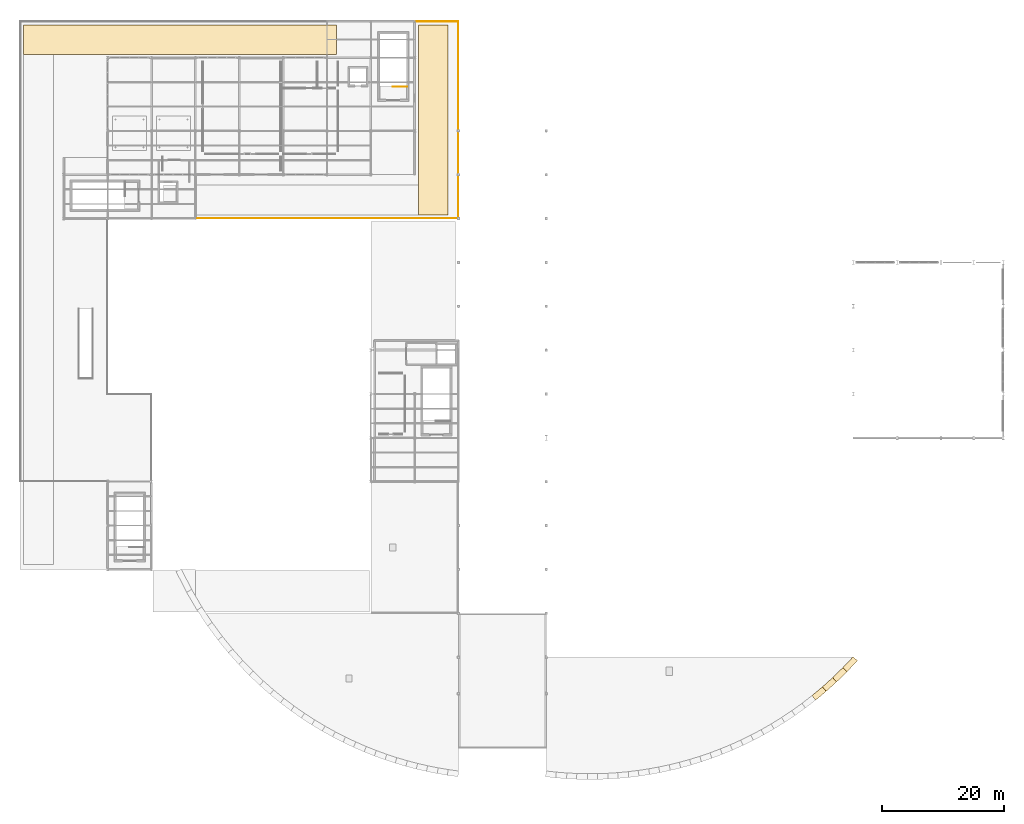
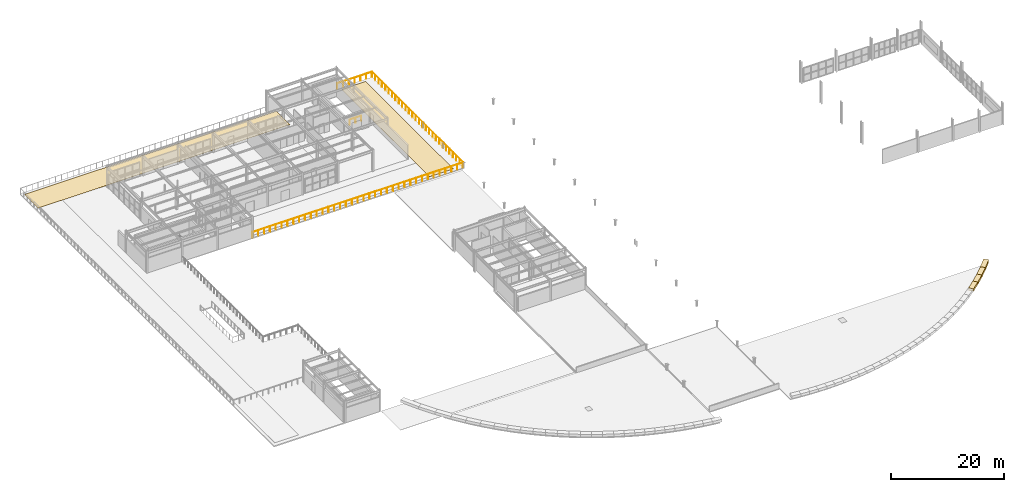
# One storey, part 41 of 41: 6 coverings, 2 railings.
"""IFC4 building model written with IfcOpenShell, lengths in metres."""

from ifc_helpers import new_model, si_unit, direction, frame, origin, origin_2d, place, context, subcontext, project, spatial, polyline, rectangle, circle, outline, extrude, material, layer, layer_set, type_object, element, save


model = new_model("IFC4")

# Units and contexts
model_context = context("Model", 3, precision=1e-05, world=origin(), true_north=direction((0.0, 1.0)))
body_context = subcontext(model_context, "Body", "Model", "MODEL_VIEW")
ifc_project = project(units=[si_unit("LENGTHUNIT", "METRE"), si_unit("AREAUNIT", "SQUARE_METRE"), si_unit("VOLUMEUNIT", "CUBIC_METRE"), si_unit("PLANEANGLEUNIT", "RADIAN"), si_unit("MASSUNIT", "GRAM", prefix="KILO")], contexts=[model_context])

# Site, building, storey
site_placement = place(None, origin())
site = spatial("IfcSite", under=ifc_project, at=site_placement, CompositionType="ELEMENT")
building_placement = place(site_placement, origin())
building = spatial("IfcBuilding", under=site, at=building_placement, Name="Solvadek Multi-Sports Hall", CompositionType="ELEMENT")
storey_placement = place(building_placement, frame((0.0, 0.0, 14.39990234375)))
storey = spatial("IfcBuildingStorey", under=building, at=storey_placement, Name="L03", CompositionType="ELEMENT", Elevation=14.39990234375)

# Coverings
ifc_material_1 = material(Name="Dressed honey-cream limestone ashlar", Category="masonry")
ifc_layer_1 = layer(ifc_material_1, 0.044921875, Name="Dressed honey-cream limestone ashlar")
ifc_layer_set_1 = layer_set([ifc_layer_1], Name="Dressed honey-cream limestone ashlar")
covering_type_1 = type_object("IfcCoveringType", Name="ENV-COV-CLAD45", PredefinedType="CLADDING", material=ifc_layer_set_1)
covering_1_placement = place(storey_placement, frame((131.189453125, 0.03173828125, 0.68994140625), z_axis=(0.0, 0.0, 1.0), x_axis=(0.767254598934, 0.641342638855, 0.0)))
element("IfcCovering", 1, at=covering_1_placement, inside=storey, type_object=covering_type_1, Name="Crescent Ottoman Crown Cornice E-27", PredefinedType="CLADDING", context=body_context, shape_type="SweptSolid", body=[
    extrude(rectangle(XDim=2.25, YDim=0.949951171875, at=origin_2d()), origin(), (0.0, 0.0, 1.0), 0.550048828125),
])
covering_2_placement = place(storey_placement, frame((132.881591796875, 1.503173828125, 0.68994140625), z_axis=(0.0, 0.0, 1.0), x_axis=(0.742150841647, 0.670232891048, 0.0)))
element("IfcCovering", 2, at=covering_2_placement, inside=storey, type_object=covering_type_1, Name="Crescent Ottoman Crown Cornice E-28", PredefinedType="CLADDING", context=body_context, shape_type="SweptSolid", body=[
    extrude(rectangle(XDim=2.323974609375, YDim=0.949951171875, at=origin_2d()), origin(), (0.0, 0.0, 1.0), 0.550048828125),
])
covering_3_placement = place(storey_placement, frame((134.57373046875, 3.094482421875, 0.68994140625), z_axis=(0.0, 0.0, 1.0), x_axis=(0.71499957752, 0.699124884514, 0.0)))
element("IfcCovering", 3, at=covering_3_placement, inside=storey, type_object=covering_type_1, Name="Crescent Ottoman Crown Cornice E-29", PredefinedType="CLADDING", context=body_context, shape_type="SweptSolid", body=[
    extrude(rectangle(XDim=2.409912109375, YDim=0.949951171875, at=origin_2d()), origin(), (0.0, 0.0, 1.0), 0.550048828125),
])
covering_4_placement = place(storey_placement, frame((136.265869140625, 4.820068359375, 0.68994140625), z_axis=(0.0, 0.0, 1.0), x_axis=(0.685588703424, 0.727989100013, 0.0)))
element("IfcCovering", 4, at=covering_4_placement, inside=storey, type_object=covering_type_1, Name="Crescent Ottoman Crown Cornice E-30", PredefinedType="CLADDING", context=body_context, shape_type="SweptSolid", body=[
    extrude(rectangle(XDim=2.510009765625, YDim=0.949951171875, at=origin_2d()), origin(), (0.0, 0.0, 1.0), 0.550048828125),
])

# Railing
ifc_material_2 = material(Name="Anodised aluminium", Category="aluminium")
railing_type_1 = type_object("IfcRailingType", Name="ENV-RAL-TRK120", PredefinedType="BALUSTRADE", material=ifc_material_2)
railing_1_placement = place(storey_placement, frame((64.860107421875, 110.340087890625, 0.0)))
element("IfcRailing", 5, at=railing_1_placement, inside=storey, type_object=railing_type_1, Name="Rooftop Running Track Perimeter Guard #2", PredefinedType="BALUSTRADE", context=body_context, shape_type="SweptSolid", body=[
    extrude(circle(Radius=0.02392578125, at=origin_2d()), frame((0.0, 0.0, 1.17578125), z_axis=(1.0, 0.0, 0.0), x_axis=(0.0, 1.0, 0.0)), (0.0, 0.0, 1.0), 7.079833984375),
    extrude(circle(Radius=0.02392578125, at=origin_2d()), frame((7.079833984375, 0.0, 1.17578125), z_axis=(0.0, -1.0, 0.0), x_axis=(1.0, 0.0, 0.0)), (0.0, 0.0, 1.0), 32.280029296875),
    extrude(circle(Radius=0.02392578125, at=origin_2d()), frame((7.079833984375, -32.280029296875, 1.17578125), z_axis=(-1.0, 0.0, 0.0), x_axis=(0.0, -1.0, 0.0)), (0.0, 0.0, 1.0), 43.079833984375),
    extrude(circle(Radius=0.02099609375, at=origin_2d()), origin(), (0.0, 0.0, 1.0), 1.15185546875),
    extrude(circle(Radius=0.02099609375, at=origin_2d()), frame((1.179931640625, 0.0, 0.0)), (0.0, 0.0, 1.0), 1.15185546875),
    extrude(circle(Radius=0.02099609375, at=origin_2d()), frame((2.35986328125, 0.0, 0.0)), (0.0, 0.0, 1.0), 1.15185546875),
    extrude(circle(Radius=0.02099609375, at=origin_2d()), frame((3.5400390625, 0.0, 0.0)), (0.0, 0.0, 1.0), 1.15185546875),
    extrude(circle(Radius=0.02099609375, at=origin_2d()), frame((4.719970703125, 0.0, 0.0)), (0.0, 0.0, 1.0), 1.15185546875),
    extrude(circle(Radius=0.02099609375, at=origin_2d()), frame((5.89990234375, 0.0, 0.0)), (0.0, 0.0, 1.0), 1.15185546875),
    extrude(circle(Radius=0.02099609375, at=origin_2d()), frame((7.079833984375, 0.0, 0.0)), (0.0, 0.0, 1.0), 1.15185546875),
    extrude(circle(Radius=0.02099609375, at=origin_2d()), frame((7.079833984375, -1.195556640625, 0.0)), (0.0, 0.0, 1.0), 1.15185546875),
    extrude(circle(Radius=0.02099609375, at=origin_2d()), frame((7.079833984375, -2.39111328125, 0.0)), (0.0, 0.0, 1.0), 1.15185546875),
    extrude(circle(Radius=0.02099609375, at=origin_2d()), frame((7.079833984375, -3.586669921875, 0.0)), (0.0, 0.0, 1.0), 1.15185546875),
    extrude(circle(Radius=0.02099609375, at=origin_2d()), frame((7.079833984375, -4.7822265625, 0.0)), (0.0, 0.0, 1.0), 1.15185546875),
    extrude(circle(Radius=0.02099609375, at=origin_2d()), frame((7.079833984375, -5.977783203125, 0.0)), (0.0, 0.0, 1.0), 1.15185546875),
    extrude(circle(Radius=0.02099609375, at=origin_2d()), frame((7.079833984375, -7.17333984375, 0.0)), (0.0, 0.0, 1.0), 1.15185546875),
    extrude(circle(Radius=0.02099609375, at=origin_2d()), frame((7.079833984375, -8.368896484375, 0.0)), (0.0, 0.0, 1.0), 1.15185546875),
    extrude(circle(Radius=0.02099609375, at=origin_2d()), frame((7.079833984375, -9.564453125, 0.0)), (0.0, 0.0, 1.0), 1.15185546875),
    extrude(circle(Radius=0.02099609375, at=origin_2d()), frame((7.079833984375, -10.760009765625, 0.0)), (0.0, 0.0, 1.0), 1.15185546875),
    extrude(circle(Radius=0.02099609375, at=origin_2d()), frame((7.079833984375, -11.95556640625, 0.0)), (0.0, 0.0, 1.0), 1.15185546875),
    extrude(circle(Radius=0.02099609375, at=origin_2d()), frame((7.079833984375, -13.151123046875, 0.0)), (0.0, 0.0, 1.0), 1.15185546875),
    extrude(circle(Radius=0.02099609375, at=origin_2d()), frame((7.079833984375, -14.3466796875, 0.0)), (0.0, 0.0, 1.0), 1.15185546875),
    extrude(circle(Radius=0.02099609375, at=origin_2d()), frame((7.079833984375, -15.542236328125, 0.0)), (0.0, 0.0, 1.0), 1.15185546875),
    extrude(circle(Radius=0.02099609375, at=origin_2d()), frame((7.079833984375, -16.73779296875, 0.0)), (0.0, 0.0, 1.0), 1.15185546875),
    extrude(circle(Radius=0.02099609375, at=origin_2d()), frame((7.079833984375, -17.933349609375, 0.0)), (0.0, 0.0, 1.0), 1.15185546875),
    extrude(circle(Radius=0.02099609375, at=origin_2d()), frame((7.079833984375, -19.12890625, 0.0)), (0.0, 0.0, 1.0), 1.15185546875),
    extrude(circle(Radius=0.02099609375, at=origin_2d()), frame((7.079833984375, -20.324462890625, 0.0)), (0.0, 0.0, 1.0), 1.15185546875),
    extrude(circle(Radius=0.02099609375, at=origin_2d()), frame((7.079833984375, -21.52001953125, 0.0)), (0.0, 0.0, 1.0), 1.15185546875),
    extrude(circle(Radius=0.02099609375, at=origin_2d()), frame((7.079833984375, -22.715576171875, 0.0)), (0.0, 0.0, 1.0), 1.15185546875),
    extrude(circle(Radius=0.02099609375, at=origin_2d()), frame((7.079833984375, -23.9111328125, 0.0)), (0.0, 0.0, 1.0), 1.15185546875),
    extrude(circle(Radius=0.02099609375, at=origin_2d()), frame((7.079833984375, -25.106689453125, 0.0)), (0.0, 0.0, 1.0), 1.15185546875),
    extrude(circle(Radius=0.02099609375, at=origin_2d()), frame((7.079833984375, -26.30224609375, 0.0)), (0.0, 0.0, 1.0), 1.15185546875),
    extrude(circle(Radius=0.02099609375, at=origin_2d()), frame((7.079833984375, -27.497802734375, 0.0)), (0.0, 0.0, 1.0), 1.15185546875),
    extrude(circle(Radius=0.02099609375, at=origin_2d()), frame((7.079833984375, -28.693359375, 0.0)), (0.0, 0.0, 1.0), 1.15185546875),
    extrude(circle(Radius=0.02099609375, at=origin_2d()), frame((7.079833984375, -29.888916015625, 0.0)), (0.0, 0.0, 1.0), 1.15185546875),
    extrude(circle(Radius=0.02099609375, at=origin_2d()), frame((7.079833984375, -31.08447265625, 0.0)), (0.0, 0.0, 1.0), 1.15185546875),
    extrude(circle(Radius=0.02099609375, at=origin_2d()), frame((7.079833984375, -32.280029296875, 0.0)), (0.0, 0.0, 1.0), 1.15185546875),
    extrude(circle(Radius=0.02099609375, at=origin_2d()), frame((5.883056640625, -32.280029296875, 0.0)), (0.0, 0.0, 1.0), 1.15185546875),
    extrude(circle(Radius=0.02099609375, at=origin_2d()), frame((4.6865234375, -32.280029296875, 0.0)), (0.0, 0.0, 1.0), 1.15185546875),
    extrude(circle(Radius=0.02099609375, at=origin_2d()), frame((3.48974609375, -32.280029296875, 0.0)), (0.0, 0.0, 1.0), 1.15185546875),
    extrude(circle(Radius=0.02099609375, at=origin_2d()), frame((2.293212890625, -32.280029296875, 0.0)), (0.0, 0.0, 1.0), 1.15185546875),
    extrude(circle(Radius=0.02099609375, at=origin_2d()), frame((1.096435546875, -32.280029296875, 0.0)), (0.0, 0.0, 1.0), 1.15185546875),
    extrude(circle(Radius=0.02099609375, at=origin_2d()), frame((-0.10009765625, -32.280029296875, 0.0)), (0.0, 0.0, 1.0), 1.15185546875),
    extrude(circle(Radius=0.02099609375, at=origin_2d()), frame((-1.296875, -32.280029296875, 0.0)), (0.0, 0.0, 1.0), 1.15185546875),
    extrude(circle(Radius=0.02099609375, at=origin_2d()), frame((-2.493408203125, -32.280029296875, 0.0)), (0.0, 0.0, 1.0), 1.15185546875),
    extrude(circle(Radius=0.02099609375, at=origin_2d()), frame((-3.690185546875, -32.280029296875, 0.0)), (0.0, 0.0, 1.0), 1.15185546875),
    extrude(circle(Radius=0.02099609375, at=origin_2d()), frame((-4.88671875, -32.280029296875, 0.0)), (0.0, 0.0, 1.0), 1.15185546875),
    extrude(circle(Radius=0.02099609375, at=origin_2d()), frame((-6.08349609375, -32.280029296875, 0.0)), (0.0, 0.0, 1.0), 1.15185546875),
    extrude(circle(Radius=0.02099609375, at=origin_2d()), frame((-7.280029296875, -32.280029296875, 0.0)), (0.0, 0.0, 1.0), 1.15185546875),
    extrude(circle(Radius=0.02099609375, at=origin_2d()), frame((-8.476806640625, -32.280029296875, 0.0)), (0.0, 0.0, 1.0), 1.15185546875),
    extrude(circle(Radius=0.02099609375, at=origin_2d()), frame((-9.67333984375, -32.280029296875, 0.0)), (0.0, 0.0, 1.0), 1.15185546875),
    extrude(circle(Radius=0.02099609375, at=origin_2d()), frame((-10.8701171875, -32.280029296875, 0.0)), (0.0, 0.0, 1.0), 1.15185546875),
    extrude(circle(Radius=0.02099609375, at=origin_2d()), frame((-12.066650390625, -32.280029296875, 0.0)), (0.0, 0.0, 1.0), 1.15185546875),
    extrude(circle(Radius=0.02099609375, at=origin_2d()), frame((-13.263427734375, -32.280029296875, 0.0)), (0.0, 0.0, 1.0), 1.15185546875),
    extrude(circle(Radius=0.02099609375, at=origin_2d()), frame((-14.4599609375, -32.280029296875, 0.0)), (0.0, 0.0, 1.0), 1.15185546875),
    extrude(circle(Radius=0.02099609375, at=origin_2d()), frame((-15.65673828125, -32.280029296875, 0.0)), (0.0, 0.0, 1.0), 1.15185546875),
    extrude(circle(Radius=0.02099609375, at=origin_2d()), frame((-16.853515625, -32.280029296875, 0.0)), (0.0, 0.0, 1.0), 1.15185546875),
    extrude(circle(Radius=0.02099609375, at=origin_2d()), frame((-18.050048828125, -32.280029296875, 0.0)), (0.0, 0.0, 1.0), 1.15185546875),
    extrude(circle(Radius=0.02099609375, at=origin_2d()), frame((-19.246826171875, -32.280029296875, 0.0)), (0.0, 0.0, 1.0), 1.15185546875),
    extrude(circle(Radius=0.02099609375, at=origin_2d()), frame((-20.443359375, -32.280029296875, 0.0)), (0.0, 0.0, 1.0), 1.15185546875),
    extrude(circle(Radius=0.02099609375, at=origin_2d()), frame((-21.64013671875, -32.280029296875, 0.0)), (0.0, 0.0, 1.0), 1.15185546875),
    extrude(circle(Radius=0.02099609375, at=origin_2d()), frame((-22.836669921875, -32.280029296875, 0.0)), (0.0, 0.0, 1.0), 1.15185546875),
    extrude(circle(Radius=0.02099609375, at=origin_2d()), frame((-24.033447265625, -32.280029296875, 0.0)), (0.0, 0.0, 1.0), 1.15185546875),
    extrude(circle(Radius=0.02099609375, at=origin_2d()), frame((-25.22998046875, -32.280029296875, 0.0)), (0.0, 0.0, 1.0), 1.15185546875),
    extrude(circle(Radius=0.02099609375, at=origin_2d()), frame((-26.4267578125, -32.280029296875, 0.0)), (0.0, 0.0, 1.0), 1.15185546875),
    extrude(circle(Radius=0.02099609375, at=origin_2d()), frame((-27.623291015625, -32.280029296875, 0.0)), (0.0, 0.0, 1.0), 1.15185546875),
    extrude(circle(Radius=0.02099609375, at=origin_2d()), frame((-28.820068359375, -32.280029296875, 0.0)), (0.0, 0.0, 1.0), 1.15185546875),
    extrude(circle(Radius=0.02099609375, at=origin_2d()), frame((-30.0166015625, -32.280029296875, 0.0)), (0.0, 0.0, 1.0), 1.15185546875),
    extrude(circle(Radius=0.02099609375, at=origin_2d()), frame((-31.21337890625, -32.280029296875, 0.0)), (0.0, 0.0, 1.0), 1.15185546875),
    extrude(circle(Radius=0.02099609375, at=origin_2d()), frame((-32.409912109375, -32.280029296875, 0.0)), (0.0, 0.0, 1.0), 1.15185546875),
    extrude(circle(Radius=0.02099609375, at=origin_2d()), frame((-33.606689453125, -32.280029296875, 0.0)), (0.0, 0.0, 1.0), 1.15185546875),
    extrude(circle(Radius=0.02099609375, at=origin_2d()), frame((-34.80322265625, -32.280029296875, 0.0)), (0.0, 0.0, 1.0), 1.15185546875),
    extrude(circle(Radius=0.02099609375, at=origin_2d()), frame((-36.0, -32.280029296875, 0.0)), (0.0, 0.0, 1.0), 1.15185546875),
])

# Coverings
ifc_material_3 = material(Name="Polyurethane EPDM track surfacing")
ifc_layer_2 = layer(ifc_material_3, 0.01806640625, Name="Polyurethane EPDM track surfacing")
ifc_layer_set_2 = layer_set([ifc_layer_2], Name="Polyurethane EPDM track surfacing")
covering_type_2 = type_object("IfcCoveringType", Name="INT-COV-TRACK", PredefinedType="FLOORING", material=ifc_layer_set_2)
covering_5_placement = place(storey_placement, origin())
element("IfcCovering", 6, at=covering_5_placement, inside=storey, type_object=covering_type_2, Name="Rooftop 4-Lane EPDM Track North Straight", PredefinedType="FLOORING", context=body_context, shape_type="SweptSolid", body=[
    extrude(outline(polyline([(0.60009765625, 104.89990234375), (52.0, 104.89990234375), (52.0, 109.780029296875), (0.60009765625, 109.780029296875), (0.60009765625, 104.89990234375)])), origin(), (0.0, 0.0, 1.0), 0.01806640625),
])
covering_6_placement = place(storey_placement, origin())
element("IfcCovering", 7, at=covering_6_placement, inside=storey, type_object=covering_type_2, Name="Rooftop 4-Lane EPDM Track East Straight", PredefinedType="FLOORING", context=body_context, shape_type="SweptSolid", body=[
    extrude(outline(polyline([(65.39990234375, 78.60009765625), (70.280029296875, 78.60009765625), (70.280029296875, 109.780029296875), (65.39990234375, 109.780029296875), (65.39990234375, 78.60009765625)])), origin(), (0.0, 0.0, 1.0), 0.01806640625),
])

# Railing
ifc_material_4 = material(Name="Steel E250 (250 MPa)", Category="steel")
railing_type_2 = type_object("IfcRailingType", Name="INT-RAL-GRD115", PredefinedType="BALUSTRADE", material=ifc_material_4)
railing_2_placement = place(storey_placement, frame((63.550048828125, 99.64990234375, 0.0)))
element("IfcRailing", 8, at=railing_2_placement, inside=storey, type_object=railing_type_2, Name="L03 ST-03 top well guard 1", PredefinedType="BALUSTRADE", context=body_context, shape_type="SweptSolid", body=[
    extrude(circle(Radius=0.02392578125, at=origin_2d()), frame((0.0, 0.0, 1.076171875), z_axis=(-1.0, 0.0, 0.0), x_axis=(0.0, -1.0, 0.0)), (0.0, 0.0, 1.0), 2.35009765625),
    extrude(circle(Radius=0.02099609375, at=origin_2d()), origin(), (0.0, 0.0, 1.0), 1.052001953125),
    extrude(circle(Radius=0.02099609375, at=origin_2d()), frame((-1.175048828125, 0.0, 0.0)), (0.0, 0.0, 1.0), 1.052001953125),
    extrude(circle(Radius=0.02099609375, at=origin_2d()), frame((-2.35009765625, 0.0, 0.0)), (0.0, 0.0, 1.0), 1.052001953125),
])

save(model, "model.ifc")
